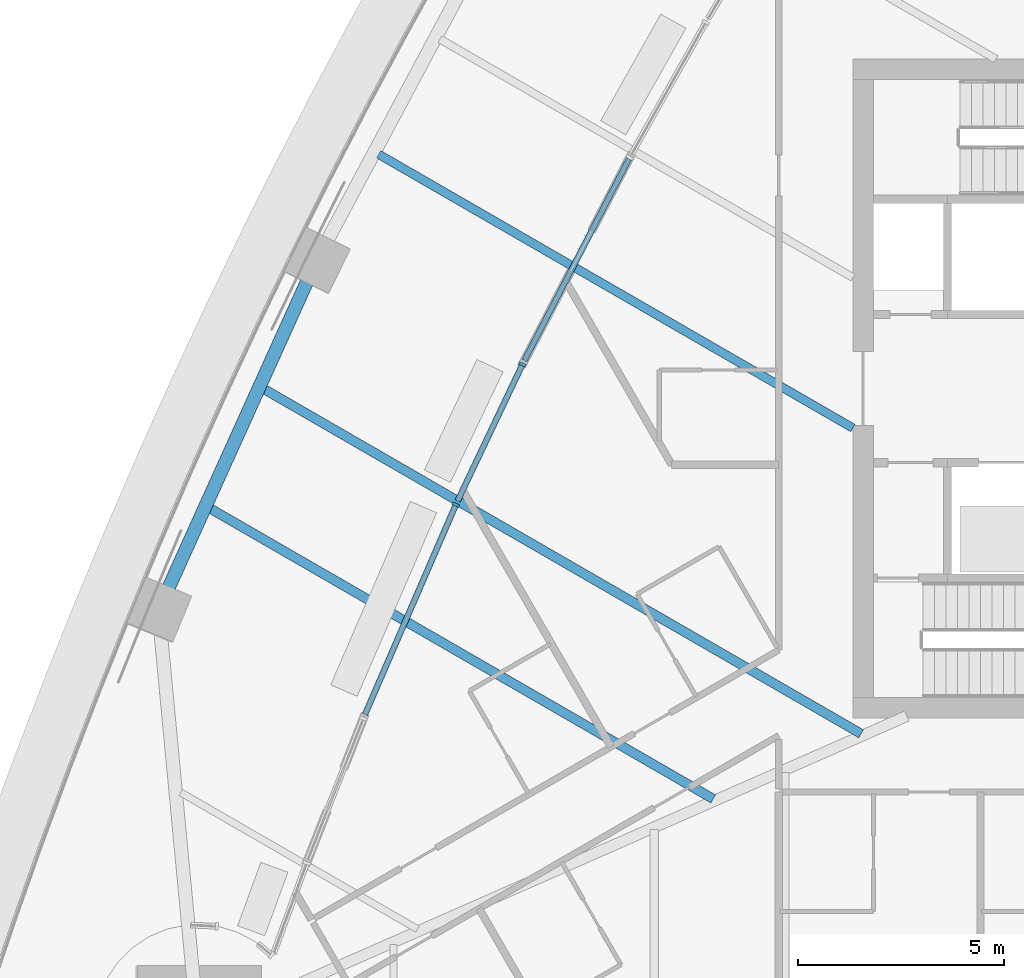
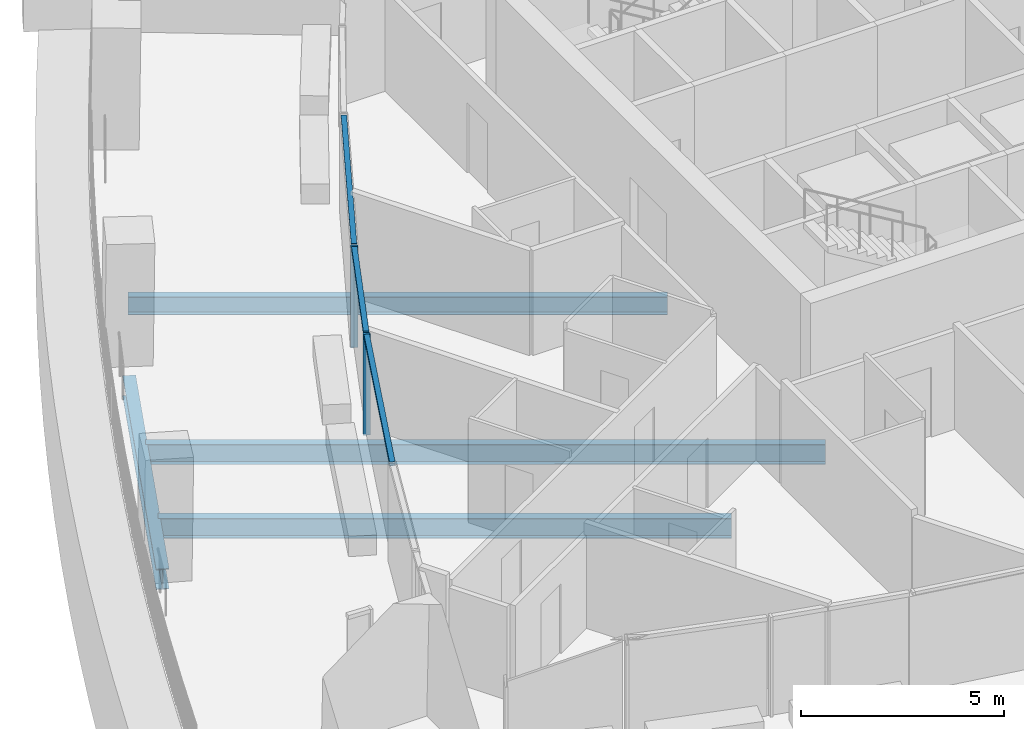
# One storey, part 3 of 24: 5 members, 4 beams, 3 elements without a shape of their own.
"""IFC4 building model written with IfcOpenShell, lengths in metres."""

from ifc_helpers import new_model, si_unit, direction, frame, origin, origin_2d, place, context, subcontext, project, spatial, rectangle, i_section, extrude, material, layer, layer_set, material_profile, profile_set, type_object, element, aggregate, save


model = new_model("IFC4")

# Units and contexts
model_context = context("Model", 3, precision=1e-05, world=origin(), true_north=direction((0.0, 1.0)))
body_context = subcontext(model_context, "Body", "Model", "MODEL_VIEW")
ifc_project = project(units=[si_unit("LENGTHUNIT", "METRE"), si_unit("AREAUNIT", "SQUARE_METRE"), si_unit("VOLUMEUNIT", "CUBIC_METRE"), si_unit("PLANEANGLEUNIT", "RADIAN"), si_unit("MASSUNIT", "GRAM", prefix="KILO")], contexts=[model_context])

# Site, building, storey
site_placement = place(None, origin())
site = spatial("IfcSite", under=ifc_project, at=site_placement, CompositionType="ELEMENT")
building_placement = place(site_placement, origin())
building = spatial("IfcBuilding", under=site, at=building_placement, Name="Sierra Prisma Convention Tower", CompositionType="ELEMENT")
storey_placement = place(building_placement, frame((0.0, 0.0, 59.10009765625)))
storey = spatial("IfcBuildingStorey", under=building, at=storey_placement, Name="L10", CompositionType="ELEMENT", Elevation=59.10009765625)

# Curtain wall, member
ifc_material_1 = material(Name="Aluminium and glass curtain wall", Category="aluminium")
ifc_layer = layer(ifc_material_1, 0.179931640625)
ifc_layer_set = layer_set([ifc_layer], Name="CW-6 Terrace recess curtain wall")
curtain_wall_type = type_object("IfcCurtainWallType", Name="CW-6 Terrace recess curtain wall", PredefinedType="NOTDEFINED", material=ifc_layer_set)
curtain_wall_1_placement = place(storey_placement, origin())
curtain_wall_1 = element("IfcCurtainWall", 1, at=curtain_wall_1_placement, inside=storey, type_object=curtain_wall_type, Name="CW-6 R4 L10", PredefinedType="NOTDEFINED")
ifc_material_2 = material(Name="Aluminium 6063-T6 bronze anodised", Category="aluminium")
ifc_material_profile_1 = material_profile(ifc_material_2, rectangle(XDim=0.179931640625, YDim=0.070068359375, at=origin_2d()), Name="ALU MULLION 70x180")
ifc_profile_set_1 = profile_set([ifc_material_profile_1], Name="Aluminium 6063-T6 bronze anodised")
member_type_1 = type_object("IfcMemberType", Name="CW mullion bronze", PredefinedType="MULLION", material=ifc_profile_set_1)
member_1_placement = place(storey_placement, frame((-19.02294921875, 0.586181640625, 0.0), z_axis=(0.0, 0.0, 1.0), x_axis=(0.903233878392, -0.429148646654, 0.0)))
member_1 = element("IfcMember", 2, at=member_1_placement, type_object=member_type_1, Name="CW-6 mullion R4.1", PredefinedType="MULLION", context=body_context, shape_type="SweptSolid", body=[
    extrude(rectangle(XDim=0.179931640625, YDim=0.070068359375, at=origin_2d()), origin(), (0.0, 0.0, 1.0), 3.039794921875),
])

curtain_wall_2_placement = place(storey_placement, origin())
curtain_wall_2 = element("IfcCurtainWall", 3, at=curtain_wall_2_placement, inside=storey, type_object=curtain_wall_type, Name="CW-6 R5 L10", PredefinedType="NOTDEFINED")
member_2_placement = place(storey_placement, frame((-20.640380859375, -2.82080078125, 0.0), z_axis=(0.0, 0.0, 1.0), x_axis=(0.917596789413, -0.397512430068, 0.0)))
member_2 = element("IfcMember", 4, at=member_2_placement, type_object=member_type_1, Name="CW-6 mullion R5.1", PredefinedType="MULLION", context=body_context, shape_type="SweptSolid", body=[
    extrude(rectangle(XDim=0.179931640625, YDim=0.070068359375, at=origin_2d()), origin(), (0.0, 0.0, 1.0), 3.039794921875),
])

curtain_wall_3_placement = place(storey_placement, origin())
curtain_wall_3 = element("IfcCurtainWall", 5, at=curtain_wall_3_placement, inside=storey, type_object=curtain_wall_type, Name="CW-6 R3 L10", PredefinedType="NOTDEFINED")
ifc_material_3 = material(Name="Aluminium 6063-T6 bronze anodised", Category="aluminium")
ifc_material_profile_2 = material_profile(ifc_material_3, rectangle(XDim=0.139892578125, YDim=0.1201171875, at=origin_2d()), Name="ALU TRANSOM 120x140")
ifc_profile_set_2 = profile_set([ifc_material_profile_2], Name="Aluminium 6063-T6 bronze anodised")
member_type_2 = type_object("IfcMemberType", Name="CW transom bronze", PredefinedType="USERDEFINED", material=ifc_profile_set_2)
member_3_placement = place(storey_placement, frame((-16.4365234375, 5.57763671875, 2.97998046875), z_axis=(-0.460247408281, -0.88779069784, 0.0), x_axis=(0.88779069784, -0.460247408281, 0.0)))
member_3 = element("IfcMember", 6, at=member_3_placement, type_object=member_type_2, Name="CW-6 transom R3.1", ObjectType="TRANSOM", PredefinedType="USERDEFINED", context=body_context, shape_type="SweptSolid", body=[
    extrude(rectangle(XDim=0.139892578125, YDim=0.1201171875, at=origin_2d()), origin(), (0.0, 0.0, 1.0), 5.516845703125),
])
aggregate(curtain_wall_3, [member_3])

# Member
member_4_placement = place(storey_placement, frame((-19.037841796875, 0.5546875, 2.97998046875), z_axis=(-0.429187084712, -0.903215614522, 0.0), x_axis=(0.903215614522, -0.429187084712, 0.0)))
member_4 = element("IfcMember", 7, at=member_4_placement, type_object=member_type_2, Name="CW-6 transom R4.1", ObjectType="TRANSOM", PredefinedType="USERDEFINED", context=body_context, shape_type="SweptSolid", body=[
    extrude(rectangle(XDim=0.139892578125, YDim=0.1201171875, at=origin_2d()), origin(), (0.0, 0.0, 1.0), 3.631591796875),
])

aggregate(curtain_wall_1, [member_1, member_4])

member_5_placement = place(storey_placement, frame((-20.654296875, -2.852783203125, 2.97998046875), z_axis=(-0.397489451272, -0.917606743724, 0.0), x_axis=(0.917606743724, -0.397489451272, 0.0)))
member_5 = element("IfcMember", 8, at=member_5_placement, type_object=member_type_2, Name="CW-6 transom R5.1", ObjectType="TRANSOM", PredefinedType="USERDEFINED", context=body_context, shape_type="SweptSolid", body=[
    extrude(rectangle(XDim=0.139892578125, YDim=0.1201171875, at=origin_2d()), origin(), (0.0, 0.0, 1.0), 5.516845703125),
])

aggregate(curtain_wall_2, [member_2, member_5])

# Beams
ifc_material_4 = material(Name="Steel ASTM A992 Gr 50", Category="steel")
ifc_material_profile_3 = material_profile(ifc_material_4, i_section(OverallWidth=0.208984375, OverallDepth=0.532958984375, WebThickness=0.01025390625, FlangeThickness=0.015625, at=origin_2d()), Name="W530x92")
ifc_profile_set_3 = profile_set([ifc_material_profile_3], Name="Steel ASTM A992 Gr 50")
beam_type_1 = type_object("IfcBeamType", Name="Floor joist W530x92", PredefinedType="JOIST", material=ifc_profile_set_3)
beam_1_placement = place(storey_placement, frame((-22.516845703125, 5.69091796875, -0.566650390625), z_axis=(0.866028140371, -0.499995260064, 0.0), x_axis=(0.499995260064, 0.866028140371, 0.0)))
element("IfcBeam", 9, at=beam_1_placement, inside=storey, type_object=beam_type_1, Name="Floor joist L10 NW11", PredefinedType="JOIST", context=body_context, shape_type="SweptSolid", body=[
    extrude(i_section(OverallWidth=0.208984375, OverallDepth=0.532958984375, WebThickness=0.01025390625, FlangeThickness=0.015625, at=origin_2d()), origin(), (0.0, 0.0, 1.0), 13.298583984375),
])
ifc_material_5 = material(Name="Steel ASTM A992 Gr 50", Category="steel")
ifc_material_profile_4 = material_profile(ifc_material_5, i_section(OverallWidth=0.22802734375, OverallDepth=0.60302734375, WebThickness=0.010498046875, FlangeThickness=0.014892578125, at=origin_2d()), Name="W610x101")
ifc_profile_set_4 = profile_set([ifc_material_profile_4], Name="Steel ASTM A992 Gr 50")
beam_type_2 = type_object("IfcBeamType", Name="Floor joist W610x101", PredefinedType="JOIST", material=ifc_profile_set_4)
beam_2_placement = place(storey_placement, frame((-25.308349609375, -0.006591796875, -0.6015625), z_axis=(0.866031965055, -0.499988635374, 0.0), x_axis=(0.499988635374, 0.866031965055, 0.0)))
element("IfcBeam", 10, at=beam_2_placement, inside=storey, type_object=beam_type_2, Name="Floor joist L10 NW13", PredefinedType="JOIST", context=body_context, shape_type="SweptSolid", body=[
    extrude(i_section(OverallWidth=0.22802734375, OverallDepth=0.60302734375, WebThickness=0.010498046875, FlangeThickness=0.014892578125, at=origin_2d()), origin(), (0.0, 0.0, 1.0), 16.75244140625),
])
beam_3_placement = place(storey_placement, frame((-26.61865234375, -2.904541015625, -0.6015625), z_axis=(0.866025485263, -0.499999858875, 0.0), x_axis=(0.499999858875, 0.866025485263, 0.0)))
element("IfcBeam", 11, at=beam_3_placement, inside=storey, type_object=beam_type_2, Name="Floor joist L10 NW14", PredefinedType="JOIST", context=body_context, shape_type="SweptSolid", body=[
    extrude(i_section(OverallWidth=0.22802734375, OverallDepth=0.60302734375, WebThickness=0.010498046875, FlangeThickness=0.014892578125, at=origin_2d()), origin(), (0.0, 0.0, 1.0), 14.119140625),
])
ifc_material_6 = material(Name="Steel ASTM A992 Gr 50", Category="steel")
ifc_material_profile_5 = material_profile(ifc_material_6, i_section(OverallWidth=0.324951171875, OverallDepth=0.615966796875, WebThickness=0.013916015625, FlangeThickness=0.021484375, at=origin_2d()), Name="W610x174")
ifc_profile_set_5 = profile_set([ifc_material_profile_5], Name="Steel ASTM A992 Gr 50")
beam_type_3 = type_object("IfcBeamType", Name="Spandrel beam W610x174", PredefinedType="BEAM", material=ifc_profile_set_5)
beam_4_placement = place(storey_placement, frame((-24.218994140625, 2.676025390625, -0.608154296875), z_axis=(-0.411997555097, -0.911184950816, 0.0), x_axis=(0.911184950816, -0.411997555097, 0.0)))
element("IfcBeam", 12, at=beam_4_placement, inside=storey, type_object=beam_type_3, Name="Spandrel L10-17", PredefinedType="BEAM", context=body_context, shape_type="SweptSolid", body=[
    extrude(i_section(OverallWidth=0.324951171875, OverallDepth=0.615966796875, WebThickness=0.013916015625, FlangeThickness=0.021484375, at=origin_2d()), origin(), (0.0, 0.0, 1.0), 8.3583984375),
])

save(model, "model.ifc")
